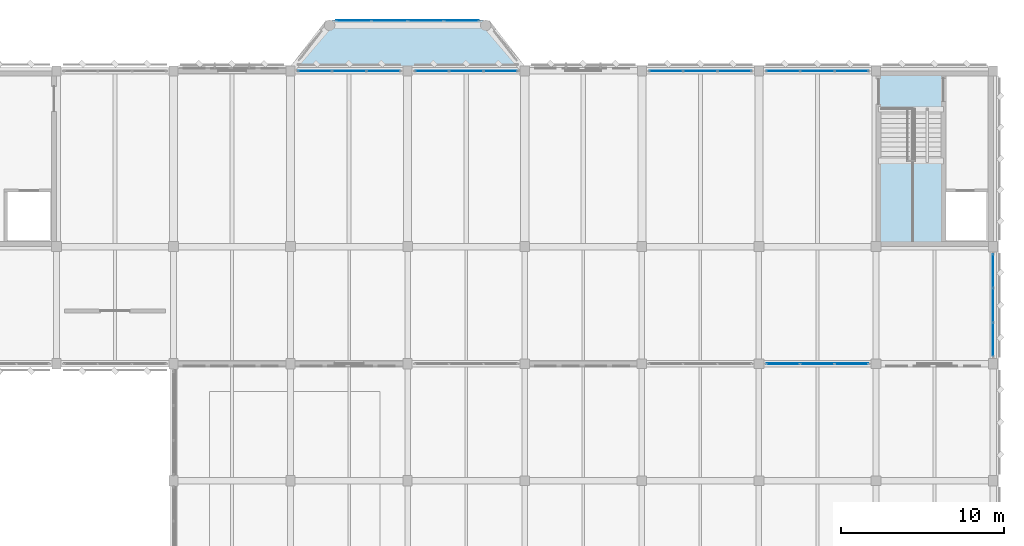
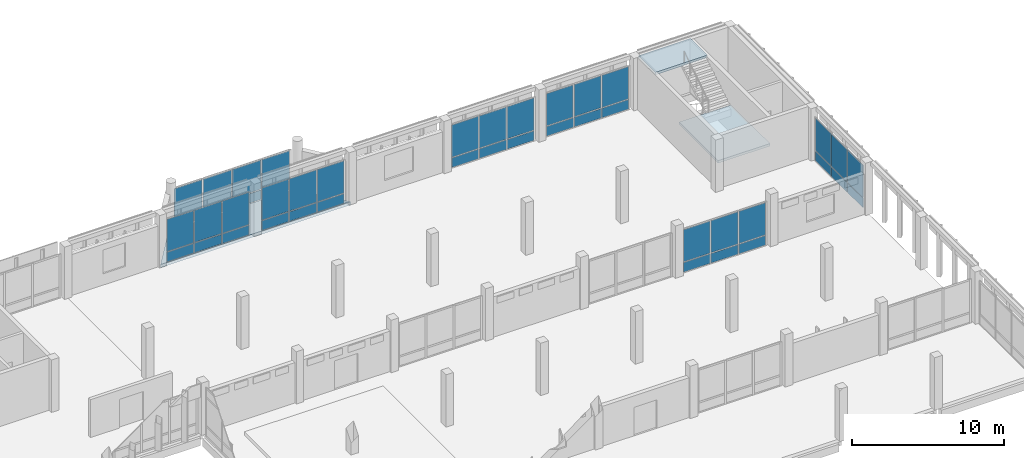
# One storey, part 128 of 158: 44 plates, 3 slabs, 8 elements without a shape of their own.
"""IFC4 building model written with IfcOpenShell, lengths in metres."""

import ifcopenshell
import ifcopenshell.guid

model = None  # the IFC model being written
_history = None  # IfcOwnerHistory: only IFC2X3 demands one
_inside = {}  # id of a spatial element -> (the spatial element, [elements in it])
_under = {}  # id of a project, library or spatial element -> (it, [spatial elements below it])
_declared = {}  # id of a project -> (the project, [libraries it declares])
_typed = {}  # id of a type object -> (the type object, [elements of that type])
_made_of = {}  # id of a material, layer set ... -> (it, [elements and type objects made of it])


def new_model(schema):
    """Start an empty IFC model of exactly this schema.

    Asked for "IFC4X3", IfcOpenShell would pick the latest addendum, in which some entities
    have other attributes; the version numbers below select the first issue.
    IFC2X3 requires an IfcOwnerHistory on every rooted entity: one is made here for all.
    """
    global model, _history
    if schema == "IFC4X3":
        model = ifcopenshell.file(schema_version=(4, 3, 0, 0))
    else:
        model = ifcopenshell.file(schema=schema)
    _inside.clear()
    _under.clear()
    _declared.clear()
    _typed.clear()
    _made_of.clear()
    _history = None
    if model.schema == "IFC2X3":
        org = make("IfcOrganization", Name="unknown")
        user = make(
            "IfcPersonAndOrganization",
            ThePerson=make("IfcPerson", FamilyName="unknown"),
            TheOrganization=org,
        )
        app = make(
            "IfcApplication",
            ApplicationDeveloper=org,
            Version="unknown",
            ApplicationFullName="unknown",
            ApplicationIdentifier="unknown",
        )
        _history = make(
            "IfcOwnerHistory",
            OwningUser=user,
            OwningApplication=app,
            ChangeAction="ADDED",
            CreationDate=0,
        )
    return model


def make(cls, **values):
    """One entity of the class cls with the attributes given. An attribute that is None is left unset."""
    return model.create_entity(
        cls, **{name: value for name, value in values.items() if value is not None}
    )


def rooted(cls, **values):
    """An entity with a GlobalId (a new one), such as an element, a storey or a relation."""
    return make(cls, GlobalId=ifcopenshell.guid.new(), OwnerHistory=_history, **values)


def si_unit(unit_type, name, prefix=None):
    """IfcSIUnit, for example si_unit("LENGTHUNIT", "METRE", prefix="MILLI")."""
    return make("IfcSIUnit", UnitType=unit_type, Prefix=prefix, Name=name)


def assignment(units):
    """IfcUnitAssignment: the units of a project."""
    return None if units is None else make("IfcUnitAssignment", Units=units)


def point(xyz):
    """IfcCartesianPoint."""
    return None if xyz is None else make("IfcCartesianPoint", Coordinates=xyz)


def direction(xyz):
    """IfcDirection."""
    return None if xyz is None else make("IfcDirection", DirectionRatios=xyz)


def frame(location, z_axis=None, x_axis=None):
    """IfcAxis2Placement3D, a coordinate frame: its origin and axes. An axis left out is left unset."""
    return make(
        "IfcAxis2Placement3D",
        Location=point(location),
        Axis=direction(z_axis),
        RefDirection=direction(x_axis),
    )


def frame_2d(location, x_axis=None):
    """IfcAxis2Placement2D, a coordinate frame in the plane: its origin and x axis."""
    return make(
        "IfcAxis2Placement2D", Location=point(location), RefDirection=direction(x_axis)
    )


def origin():
    """The frame at (0, 0, 0) with its axes left unset."""
    return frame((0.0, 0.0, 0.0))


def origin_2d():
    """The frame at (0, 0) in the plane with its x axis left unset."""
    return frame_2d((0.0, 0.0))


def place(relative_to, where):
    """IfcLocalPlacement: puts the frame where relative to a parent placement (None: the world)."""
    return make(
        "IfcLocalPlacement", PlacementRelTo=relative_to, RelativePlacement=where
    )


def context(
    kind, dimensions, precision=None, world=None, true_north=None, identifier=None
):
    """IfcGeometricRepresentationContext, for example the 3D "Model" context."""
    return make(
        "IfcGeometricRepresentationContext",
        ContextIdentifier=identifier,
        ContextType=kind,
        CoordinateSpaceDimension=dimensions,
        Precision=precision,
        WorldCoordinateSystem=world,
        TrueNorth=true_north,
    )


def subcontext(parent, identifier, kind, view, scale=None):
    """IfcGeometricRepresentationSubContext, for example "Body" below "Model"."""
    return make(
        "IfcGeometricRepresentationSubContext",
        ContextIdentifier=identifier,
        ContextType=kind,
        ParentContext=parent,
        TargetScale=scale,
        TargetView=view,
    )


def project(units=None, contexts=None):
    """IfcProject with its units and contexts."""
    return rooted(
        "IfcProject",
        Name="project",
        RepresentationContexts=contexts,
        UnitsInContext=assignment(units),
    )


def spatial(cls, under=None, at=None, **own):
    """A site, building, storey or space (cls), placed at a placement, below another one or the project."""
    s = rooted(cls, ObjectPlacement=at, **own)
    if under is not None:
        _under.setdefault(under.id(), (under, []))[1].append(s)
    return s


def polyline(points):
    """IfcPolyline through the points."""
    return make("IfcPolyline", Points=[point(p) for p in points])


def profile(cls, at=None, kind="AREA", **sizes):
    """A parametric profile (cls). Its sizes go by their IFC names, for example OverallWidth=200.0."""
    return make(cls, ProfileType=kind, Position=at, **sizes)


def rectangle(**sizes):
    """IfcRectangleProfileDef."""
    return profile("IfcRectangleProfileDef", **sizes)


def outline(outer, holes=None, kind="AREA"):
    """IfcArbitraryClosedProfileDef: a profile drawn as a closed curve; with holes, ...WithVoids."""
    if holes is None:
        return make("IfcArbitraryClosedProfileDef", ProfileType=kind, OuterCurve=outer)
    return make(
        "IfcArbitraryProfileDefWithVoids",
        ProfileType=kind,
        OuterCurve=outer,
        InnerCurves=holes,
    )


def extrude(swept, where, along, depth):
    """IfcExtrudedAreaSolid: the profile swept, set in the frame where, extruded along a direction by depth."""
    return make(
        "IfcExtrudedAreaSolid",
        SweptArea=swept,
        Position=where,
        ExtrudedDirection=direction(along),
        Depth=depth,
    )


def shape(context_of_items, identifier, shape_type, items):
    """IfcShapeRepresentation: the items that make up one representation, for example the "Body"."""
    return make(
        "IfcShapeRepresentation",
        ContextOfItems=context_of_items,
        RepresentationIdentifier=identifier,
        RepresentationType=shape_type,
        Items=items,
    )


def material(Name=None, Category=None):
    """IfcMaterial."""
    return make("IfcMaterial", Name=Name, Category=Category)


def layer(
    of_material, thickness, ventilated=None, Name=None, Category=None, Priority=None
):
    """IfcMaterialLayer: one layer of a wall or slab, of a material (None: an air gap)."""
    return make(
        "IfcMaterialLayer",
        Material=of_material,
        LayerThickness=thickness,
        IsVentilated=ventilated,
        Name=Name,
        Category=Category,
        Priority=Priority,
    )


def layer_set(layers, Name=None):
    """IfcMaterialLayerSet."""
    return make("IfcMaterialLayerSet", MaterialLayers=layers, LayerSetName=Name)


def made_of(thing, what):
    """Note that an element or type object is made of a material, layer set ...; save() writes the relation."""
    if what is not None:
        _made_of.setdefault(what.id(), (what, []))[1].append(thing)
    return thing


def type_object(cls, material=None, **own):
    """A type object (cls), such as IfcWallType, which elements share."""
    return made_of(rooted(cls, **own), material)


def element(
    cls,
    number,
    at=None,
    inside=None,
    cuts=None,
    type_object=None,
    material=None,
    context=None,
    identifier="Body",
    shape_type=None,
    held_by="IfcProductDefinitionShape",
    body=None,
    shapes=None,
    **own,
):
    """One element of the class cls, such as IfcWall. Its Tag is "e" and its number.

    at: its placement. inside: the storey or other place that contains it. cuts: it is an
    opening in that element (IfcRelVoidsElement). A single representation is given by context,
    identifier, shape_type and body (its items); several are given by shapes. held_by: the class
    of the entity that holds the representations. save() writes the other relations.
    """
    e = rooted(cls, Tag="e%d" % number, ObjectPlacement=at, **own)
    if body is not None:
        shapes = [shape(context, identifier, shape_type, body)]
    if shapes is not None:
        e.Representation = make(held_by, Representations=shapes)
    if inside is not None:
        _inside.setdefault(inside.id(), (inside, []))[1].append(e)
    if cuts is not None:
        rooted(
            "IfcRelVoidsElement", RelatingBuildingElement=cuts, RelatedOpeningElement=e
        )
    if type_object is not None:
        _typed.setdefault(type_object.id(), (type_object, []))[1].append(e)
    return made_of(e, material)


def aggregate(whole, parts):
    """IfcRelAggregates: a whole, such as a stair, and the parts it consists of."""
    return rooted("IfcRelAggregates", RelatingObject=whole, RelatedObjects=parts)


def save(model, path):
    """Write the relations noted so far, then the file.

    IfcRelAggregates (storeys below a building ...), IfcRelContainedInSpatialStructure (elements
    in a storey), IfcRelDefinesByType, IfcRelAssociatesMaterial and IfcRelDeclares: one each for
    every whole, place, type object, material and project.
    """
    for whole, parts in _under.values():
        aggregate(whole, parts)
    for where, things in _inside.values():
        rooted(
            "IfcRelContainedInSpatialStructure",
            RelatedElements=things,
            RelatingStructure=where,
        )
    for kind, things in _typed.values():
        rooted("IfcRelDefinesByType", RelatedObjects=things, RelatingType=kind)
    for what, things in _made_of.values():
        rooted("IfcRelAssociatesMaterial", RelatedObjects=things, RelatingMaterial=what)
    for by, libraries in _declared.values():
        rooted("IfcRelDeclares", RelatingContext=by, RelatedDefinitions=libraries)
    model.write(path)


model = new_model("IFC4")

# Units and contexts
model_context = context("Model", 3, precision=1e-05, world=origin(), true_north=direction((0.0, 1.0)))
body_context = subcontext(model_context, "Body", "Model", "MODEL_VIEW")
ifc_project = project(units=[si_unit("LENGTHUNIT", "METRE"), si_unit("AREAUNIT", "SQUARE_METRE"), si_unit("VOLUMEUNIT", "CUBIC_METRE"), si_unit("PLANEANGLEUNIT", "RADIAN"), si_unit("MASSUNIT", "GRAM", prefix="KILO")], contexts=[model_context])

# Site, building, storey
site_placement = place(None, origin())
site = spatial("IfcSite", under=ifc_project, at=site_placement, CompositionType="ELEMENT")
building_placement = place(site_placement, origin())
building = spatial("IfcBuilding", under=site, at=building_placement, Name="Lusvemor Sports Hall", CompositionType="ELEMENT")
storey_placement = place(building_placement, frame((0.0, 0.0, 10.800048828125)))
storey = spatial("IfcBuildingStorey", under=building, at=storey_placement, Name="L02", CompositionType="ELEMENT", Elevation=10.800048828125)

# Curtain wall, plates
ifc_material_1 = material(Name="Thermally broken bronze-anodized aluminium", Category="aluminium")
curtain_wall_type_1 = type_object("IfcCurtainWallType", Name="CW_WING_B", PredefinedType="NOTDEFINED", material=ifc_material_1)
curtain_wall_1_placement = place(storey_placement, origin())
curtain_wall_1 = element("IfcCurtainWall", 1, at=curtain_wall_1_placement, inside=storey, type_object=curtain_wall_type_1, Name="Curtain Wall CW-L02-N-1-13", PredefinedType="NOTDEFINED")
ifc_material_2 = material(Name="Solar-control laminated double glazing", Category="glass")
ifc_layer_1 = layer(ifc_material_2, 0.028076171875)
ifc_layer_set_1 = layer_set([ifc_layer_1], Name="Solar-control laminated double glazing")
plate_type_1 = type_object("IfcPlateType", Name="CW_PAN_GLZ_28", PredefinedType="CURTAIN_PANEL", material=ifc_layer_set_1)
plate_1_placement = place(storey_placement, frame((127.496337890625, 115.199951171875, 0.8798828125), z_axis=(0.0, 0.0, 1.0), x_axis=(1.0, 0.0, 0.0)))
plate_1 = element("IfcPlate", 2, at=plate_1_placement, type_object=plate_type_1, Name="CW02 panel 1.2", PredefinedType="CURTAIN_PANEL", context=body_context, shape_type="SweptSolid", body=[
    extrude(rectangle(XDim=2.0224609375, YDim=0.028076171875, at=origin_2d()), origin(), (0.0, 0.0, 1.0), 2.580078125),
])
plate_2_placement = place(storey_placement, frame((129.60009765625, 115.199951171875, 0.8798828125), z_axis=(0.0, 0.0, 1.0), x_axis=(1.0, 0.0, 0.0)))
plate_2 = element("IfcPlate", 3, at=plate_2_placement, type_object=plate_type_1, Name="CW02 panel 2.2", PredefinedType="CURTAIN_PANEL", context=body_context, shape_type="SweptSolid", body=[
    extrude(rectangle(XDim=2.054931640625, YDim=0.028076171875, at=origin_2d()), origin(), (0.0, 0.0, 1.0), 2.580078125),
])
plate_3_placement = place(storey_placement, frame((131.703857421875, 115.199951171875, 0.8798828125), z_axis=(0.0, 0.0, 1.0), x_axis=(1.0, 0.0, 0.0)))
plate_3 = element("IfcPlate", 4, at=plate_3_placement, type_object=plate_type_1, Name="CW02 panel 3.2", PredefinedType="CURTAIN_PANEL", context=body_context, shape_type="SweptSolid", body=[
    extrude(rectangle(XDim=2.0224609375, YDim=0.028076171875, at=origin_2d()), origin(), (0.0, 0.0, 1.0), 2.580078125),
])

curtain_wall_2_placement = place(storey_placement, origin())
curtain_wall_2 = element("IfcCurtainWall", 5, at=curtain_wall_2_placement, inside=storey, type_object=curtain_wall_type_1, Name="Curtain Wall CW-L02-N-1-14", PredefinedType="NOTDEFINED")
plate_4_placement = place(storey_placement, frame((134.6962890625, 115.199951171875, 0.8798828125), z_axis=(0.0, 0.0, 1.0), x_axis=(1.0, 0.0, 0.0)))
plate_4 = element("IfcPlate", 6, at=plate_4_placement, type_object=plate_type_1, Name="CW02 panel 1.2", PredefinedType="CURTAIN_PANEL", context=body_context, shape_type="SweptSolid", body=[
    extrude(rectangle(XDim=2.0224609375, YDim=0.028076171875, at=origin_2d()), origin(), (0.0, 0.0, 1.0), 2.580078125),
])
plate_5_placement = place(storey_placement, frame((136.800048828125, 115.199951171875, 0.8798828125), z_axis=(0.0, 0.0, 1.0), x_axis=(1.0, 0.0, 0.0)))
plate_5 = element("IfcPlate", 7, at=plate_5_placement, type_object=plate_type_1, Name="CW02 panel 2.2", PredefinedType="CURTAIN_PANEL", context=body_context, shape_type="SweptSolid", body=[
    extrude(rectangle(XDim=2.054931640625, YDim=0.028076171875, at=origin_2d()), origin(), (0.0, 0.0, 1.0), 2.580078125),
])
plate_6_placement = place(storey_placement, frame((138.90380859375, 115.199951171875, 0.8798828125), z_axis=(0.0, 0.0, 1.0), x_axis=(1.0, 0.0, 0.0)))
plate_6 = element("IfcPlate", 8, at=plate_6_placement, type_object=plate_type_1, Name="CW02 panel 3.2", PredefinedType="CURTAIN_PANEL", context=body_context, shape_type="SweptSolid", body=[
    extrude(rectangle(XDim=2.0224609375, YDim=0.028076171875, at=origin_2d()), origin(), (0.0, 0.0, 1.0), 2.580078125),
])

curtain_wall_3_placement = place(storey_placement, origin())
curtain_wall_3 = element("IfcCurtainWall", 9, at=curtain_wall_3_placement, inside=storey, type_object=curtain_wall_type_1, Name="Curtain Wall CW-L02-N-1-16", PredefinedType="NOTDEFINED")
plate_7_placement = place(storey_placement, frame((149.09619140625, 115.199951171875, 0.8798828125), z_axis=(0.0, 0.0, 1.0), x_axis=(1.0, 0.0, 0.0)))
plate_7 = element("IfcPlate", 10, at=plate_7_placement, type_object=plate_type_1, Name="CW02 panel 1.2", PredefinedType="CURTAIN_PANEL", context=body_context, shape_type="SweptSolid", body=[
    extrude(rectangle(XDim=2.0224609375, YDim=0.028076171875, at=origin_2d()), origin(), (0.0, 0.0, 1.0), 2.580078125),
])
plate_8_placement = place(storey_placement, frame((151.199951171875, 115.199951171875, 0.8798828125), z_axis=(0.0, 0.0, 1.0), x_axis=(1.0, 0.0, 0.0)))
plate_8 = element("IfcPlate", 11, at=plate_8_placement, type_object=plate_type_1, Name="CW02 panel 2.2", PredefinedType="CURTAIN_PANEL", context=body_context, shape_type="SweptSolid", body=[
    extrude(rectangle(XDim=2.054931640625, YDim=0.028076171875, at=origin_2d()), origin(), (0.0, 0.0, 1.0), 2.580078125),
])
plate_9_placement = place(storey_placement, frame((153.3037109375, 115.199951171875, 0.8798828125), z_axis=(0.0, 0.0, 1.0), x_axis=(1.0, 0.0, 0.0)))
plate_9 = element("IfcPlate", 12, at=plate_9_placement, type_object=plate_type_1, Name="CW02 panel 3.2", PredefinedType="CURTAIN_PANEL", context=body_context, shape_type="SweptSolid", body=[
    extrude(rectangle(XDim=2.0224609375, YDim=0.028076171875, at=origin_2d()), origin(), (0.0, 0.0, 1.0), 2.580078125),
])

curtain_wall_4_placement = place(storey_placement, origin())
curtain_wall_4 = element("IfcCurtainWall", 13, at=curtain_wall_4_placement, inside=storey, type_object=curtain_wall_type_1, Name="Curtain Wall CW-L02-N-1-17", PredefinedType="NOTDEFINED")
plate_10_placement = place(storey_placement, frame((156.296142578125, 115.199951171875, 0.8798828125), z_axis=(0.0, 0.0, 1.0), x_axis=(1.0, 0.0, 0.0)))
plate_10 = element("IfcPlate", 14, at=plate_10_placement, type_object=plate_type_1, Name="CW02 panel 1.2", PredefinedType="CURTAIN_PANEL", context=body_context, shape_type="SweptSolid", body=[
    extrude(rectangle(XDim=2.0224609375, YDim=0.028076171875, at=origin_2d()), origin(), (0.0, 0.0, 1.0), 2.580078125),
])
plate_11_placement = place(storey_placement, frame((158.39990234375, 115.199951171875, 0.8798828125), z_axis=(0.0, 0.0, 1.0), x_axis=(1.0, 0.0, 0.0)))
plate_11 = element("IfcPlate", 15, at=plate_11_placement, type_object=plate_type_1, Name="CW02 panel 2.2", PredefinedType="CURTAIN_PANEL", context=body_context, shape_type="SweptSolid", body=[
    extrude(rectangle(XDim=2.054931640625, YDim=0.028076171875, at=origin_2d()), origin(), (0.0, 0.0, 1.0), 2.580078125),
])
plate_12_placement = place(storey_placement, frame((160.503662109375, 115.199951171875, 0.8798828125), z_axis=(0.0, 0.0, 1.0), x_axis=(1.0, 0.0, 0.0)))
plate_12 = element("IfcPlate", 16, at=plate_12_placement, type_object=plate_type_1, Name="CW02 panel 3.2", PredefinedType="CURTAIN_PANEL", context=body_context, shape_type="SweptSolid", body=[
    extrude(rectangle(XDim=2.0224609375, YDim=0.028076171875, at=origin_2d()), origin(), (0.0, 0.0, 1.0), 2.580078125),
])

curtain_wall_5_placement = place(storey_placement, origin())
curtain_wall_5 = element("IfcCurtainWall", 17, at=curtain_wall_5_placement, inside=storey, type_object=curtain_wall_type_1, Name="Curtain Wall CW-L02-E-2-0", PredefinedType="NOTDEFINED")
plate_13_placement = place(storey_placement, frame((169.199951171875, 102.90380859375, 0.8798828125), z_axis=(0.0, 0.0, 1.0), x_axis=(0.0, -1.0, 0.0)))
plate_13 = element("IfcPlate", 18, at=plate_13_placement, type_object=plate_type_1, Name="CW02 panel 1.2", PredefinedType="CURTAIN_PANEL", context=body_context, shape_type="SweptSolid", body=[
    extrude(rectangle(XDim=2.0224609375, YDim=0.028076171875, at=origin_2d()), origin(), (0.0, 0.0, 1.0), 2.580078125),
])
plate_14_placement = place(storey_placement, frame((169.199951171875, 100.800048828125, 0.8798828125), z_axis=(0.0, 0.0, 1.0), x_axis=(0.0, -1.0, 0.0)))
plate_14 = element("IfcPlate", 19, at=plate_14_placement, type_object=plate_type_1, Name="CW02 panel 2.2", PredefinedType="CURTAIN_PANEL", context=body_context, shape_type="SweptSolid", body=[
    extrude(rectangle(XDim=2.054931640625, YDim=0.028076171875, at=origin_2d()), origin(), (0.0, 0.0, 1.0), 2.580078125),
])
plate_15_placement = place(storey_placement, frame((169.199951171875, 98.6962890625, 0.8798828125), z_axis=(0.0, 0.0, 1.0), x_axis=(0.0, -1.0, 0.0)))
plate_15 = element("IfcPlate", 20, at=plate_15_placement, type_object=plate_type_1, Name="CW02 panel 3.2", PredefinedType="CURTAIN_PANEL", context=body_context, shape_type="SweptSolid", body=[
    extrude(rectangle(XDim=2.0224609375, YDim=0.028076171875, at=origin_2d()), origin(), (0.0, 0.0, 1.0), 2.580078125),
])

curtain_wall_6_placement = place(storey_placement, origin())
curtain_wall_6 = element("IfcCurtainWall", 21, at=curtain_wall_6_placement, inside=storey, type_object=curtain_wall_type_1, Name="Curtain Wall CW-L02-S-3-15", PredefinedType="NOTDEFINED")
plate_16_placement = place(storey_placement, frame((160.503662109375, 97.199951171875, 0.8798828125), z_axis=(0.0, 0.0, 1.0), x_axis=(-1.0, 0.0, 0.0)))
plate_16 = element("IfcPlate", 22, at=plate_16_placement, type_object=plate_type_1, Name="CW02 panel 1.2", PredefinedType="CURTAIN_PANEL", context=body_context, shape_type="SweptSolid", body=[
    extrude(rectangle(XDim=2.0224609375, YDim=0.028076171875, at=origin_2d()), origin(), (0.0, 0.0, 1.0), 2.580078125),
])
plate_17_placement = place(storey_placement, frame((158.39990234375, 97.199951171875, 0.8798828125), z_axis=(0.0, 0.0, 1.0), x_axis=(-1.0, 0.0, 0.0)))
plate_17 = element("IfcPlate", 23, at=plate_17_placement, type_object=plate_type_1, Name="CW02 panel 2.2", PredefinedType="CURTAIN_PANEL", context=body_context, shape_type="SweptSolid", body=[
    extrude(rectangle(XDim=2.054931640625, YDim=0.028076171875, at=origin_2d()), origin(), (0.0, 0.0, 1.0), 2.580078125),
])
plate_18_placement = place(storey_placement, frame((156.296142578125, 97.199951171875, 0.8798828125), z_axis=(0.0, 0.0, 1.0), x_axis=(-1.0, 0.0, 0.0)))
plate_18 = element("IfcPlate", 24, at=plate_18_placement, type_object=plate_type_1, Name="CW02 panel 3.2", PredefinedType="CURTAIN_PANEL", context=body_context, shape_type="SweptSolid", body=[
    extrude(rectangle(XDim=2.0224609375, YDim=0.028076171875, at=origin_2d()), origin(), (0.0, 0.0, 1.0), 2.580078125),
])

ifc_material_3 = material(Name="Thermally broken bronze-anodized aluminium", Category="aluminium")
curtain_wall_type_2 = type_object("IfcCurtainWallType", Name="CW_FOYER_A", PredefinedType="NOTDEFINED", material=ifc_material_3)
curtain_wall_7_placement = place(storey_placement, origin())
curtain_wall_7 = element("IfcCurtainWall", 25, at=curtain_wall_7_placement, inside=storey, type_object=curtain_wall_type_2, Name="Curtain Wall CW-BOW-N3-L02-M", PredefinedType="NOTDEFINED")
plate_19_placement = place(storey_placement, frame((129.8798828125, 118.300048828125, 0.88232421875), z_axis=(0.0, 0.0, 1.0), x_axis=(1.0, 0.0, 0.0)))
plate_19 = element("IfcPlate", 26, at=plate_19_placement, type_object=plate_type_1, Name="CW01 panel 1.2", PredefinedType="CURTAIN_PANEL", context=body_context, shape_type="SweptSolid", body=[
    extrude(rectangle(XDim=2.1201171875, YDim=0.028076171875, at=origin_2d()), origin(), (0.0, 0.0, 1.0), 2.33251953125),
])
plate_20_placement = place(storey_placement, frame((132.08740234375, 118.300048828125, 0.88232421875), z_axis=(0.0, 0.0, 1.0), x_axis=(1.0, 0.0, 0.0)))
plate_20 = element("IfcPlate", 27, at=plate_20_placement, type_object=plate_type_1, Name="CW01 panel 2.2", PredefinedType="CURTAIN_PANEL", context=body_context, shape_type="SweptSolid", body=[
    extrude(rectangle(XDim=2.155029296875, YDim=0.028076171875, at=origin_2d()), origin(), (0.0, 0.0, 1.0), 2.33251953125),
])
plate_21_placement = place(storey_placement, frame((134.3125, 118.300048828125, 0.88232421875), z_axis=(0.0, 0.0, 1.0), x_axis=(1.0, 0.0, 0.0)))
plate_21 = element("IfcPlate", 28, at=plate_21_placement, type_object=plate_type_1, Name="CW01 panel 3.2", PredefinedType="CURTAIN_PANEL", context=body_context, shape_type="SweptSolid", body=[
    extrude(rectangle(XDim=2.155029296875, YDim=0.028076171875, at=origin_2d()), origin(), (0.0, 0.0, 1.0), 2.33251953125),
])
plate_22_placement = place(storey_placement, frame((136.52001953125, 118.300048828125, 0.88232421875), z_axis=(0.0, 0.0, 1.0), x_axis=(1.0, 0.0, 0.0)))
plate_22 = element("IfcPlate", 29, at=plate_22_placement, type_object=plate_type_1, Name="CW01 panel 4.2", PredefinedType="CURTAIN_PANEL", context=body_context, shape_type="SweptSolid", body=[
    extrude(rectangle(XDim=2.1201171875, YDim=0.028076171875, at=origin_2d()), origin(), (0.0, 0.0, 1.0), 2.33251953125),
])

# Plate
ifc_material_4 = material(Name="Emerald polychrome glazed ceramic cladding on Concrete C40/50 backing", Category="concrete")
ifc_layer_2 = layer(ifc_material_4, 0.048095703125)
ifc_layer_set_2 = layer_set([ifc_layer_2], Name="Emerald polychrome glazed ceramic cladding on Concrete C40/50 backing")
plate_type_2 = type_object("IfcPlateType", Name="CW_PAN_SPN_48", PredefinedType="CURTAIN_PANEL", material=ifc_layer_set_2)
plate_23_placement = place(storey_placement, frame((127.496337890625, 115.199951171875, 0.06005859375), z_axis=(0.0, 0.0, 1.0), x_axis=(1.0, 0.0, 0.0)))
plate_23 = element("IfcPlate", 30, at=plate_23_placement, type_object=plate_type_2, Name="CW02 panel 1.1", PredefinedType="CURTAIN_PANEL", context=body_context, shape_type="SweptSolid", body=[
    extrude(rectangle(XDim=2.0224609375, YDim=0.048095703125, at=origin_2d()), origin(), (0.0, 0.0, 1.0), 0.760009765625),
])

plate_24_placement = place(storey_placement, frame((129.60009765625, 115.199951171875, 0.06005859375), z_axis=(0.0, 0.0, 1.0), x_axis=(1.0, 0.0, 0.0)))
plate_24 = element("IfcPlate", 31, at=plate_24_placement, type_object=plate_type_2, Name="CW02 panel 2.1", PredefinedType="CURTAIN_PANEL", context=body_context, shape_type="SweptSolid", body=[
    extrude(rectangle(XDim=2.054931640625, YDim=0.048095703125, at=origin_2d()), origin(), (0.0, 0.0, 1.0), 0.760009765625),
])

plate_25_placement = place(storey_placement, frame((131.703857421875, 115.199951171875, 0.06005859375), z_axis=(0.0, 0.0, 1.0), x_axis=(1.0, 0.0, 0.0)))
plate_25 = element("IfcPlate", 32, at=plate_25_placement, type_object=plate_type_2, Name="CW02 panel 3.1", PredefinedType="CURTAIN_PANEL", context=body_context, shape_type="SweptSolid", body=[
    extrude(rectangle(XDim=2.0224609375, YDim=0.048095703125, at=origin_2d()), origin(), (0.0, 0.0, 1.0), 0.760009765625),
])

aggregate(curtain_wall_1, [plate_23, plate_1, plate_24, plate_2, plate_25, plate_3])

plate_26_placement = place(storey_placement, frame((134.6962890625, 115.199951171875, 0.06005859375), z_axis=(0.0, 0.0, 1.0), x_axis=(1.0, 0.0, 0.0)))
plate_26 = element("IfcPlate", 33, at=plate_26_placement, type_object=plate_type_2, Name="CW02 panel 1.1", PredefinedType="CURTAIN_PANEL", context=body_context, shape_type="SweptSolid", body=[
    extrude(rectangle(XDim=2.0224609375, YDim=0.048095703125, at=origin_2d()), origin(), (0.0, 0.0, 1.0), 0.760009765625),
])

plate_27_placement = place(storey_placement, frame((136.800048828125, 115.199951171875, 0.06005859375), z_axis=(0.0, 0.0, 1.0), x_axis=(1.0, 0.0, 0.0)))
plate_27 = element("IfcPlate", 34, at=plate_27_placement, type_object=plate_type_2, Name="CW02 panel 2.1", PredefinedType="CURTAIN_PANEL", context=body_context, shape_type="SweptSolid", body=[
    extrude(rectangle(XDim=2.054931640625, YDim=0.048095703125, at=origin_2d()), origin(), (0.0, 0.0, 1.0), 0.760009765625),
])

plate_28_placement = place(storey_placement, frame((138.90380859375, 115.199951171875, 0.06005859375), z_axis=(0.0, 0.0, 1.0), x_axis=(1.0, 0.0, 0.0)))
plate_28 = element("IfcPlate", 35, at=plate_28_placement, type_object=plate_type_2, Name="CW02 panel 3.1", PredefinedType="CURTAIN_PANEL", context=body_context, shape_type="SweptSolid", body=[
    extrude(rectangle(XDim=2.0224609375, YDim=0.048095703125, at=origin_2d()), origin(), (0.0, 0.0, 1.0), 0.760009765625),
])

aggregate(curtain_wall_2, [plate_26, plate_4, plate_27, plate_5, plate_28, plate_6])

plate_29_placement = place(storey_placement, frame((149.09619140625, 115.199951171875, 0.06005859375), z_axis=(0.0, 0.0, 1.0), x_axis=(1.0, 0.0, 0.0)))
plate_29 = element("IfcPlate", 36, at=plate_29_placement, type_object=plate_type_2, Name="CW02 panel 1.1", PredefinedType="CURTAIN_PANEL", context=body_context, shape_type="SweptSolid", body=[
    extrude(rectangle(XDim=2.0224609375, YDim=0.048095703125, at=origin_2d()), origin(), (0.0, 0.0, 1.0), 0.760009765625),
])

plate_30_placement = place(storey_placement, frame((151.199951171875, 115.199951171875, 0.06005859375), z_axis=(0.0, 0.0, 1.0), x_axis=(1.0, 0.0, 0.0)))
plate_30 = element("IfcPlate", 37, at=plate_30_placement, type_object=plate_type_2, Name="CW02 panel 2.1", PredefinedType="CURTAIN_PANEL", context=body_context, shape_type="SweptSolid", body=[
    extrude(rectangle(XDim=2.054931640625, YDim=0.048095703125, at=origin_2d()), origin(), (0.0, 0.0, 1.0), 0.760009765625),
])

plate_31_placement = place(storey_placement, frame((153.3037109375, 115.199951171875, 0.06005859375), z_axis=(0.0, 0.0, 1.0), x_axis=(1.0, 0.0, 0.0)))
plate_31 = element("IfcPlate", 38, at=plate_31_placement, type_object=plate_type_2, Name="CW02 panel 3.1", PredefinedType="CURTAIN_PANEL", context=body_context, shape_type="SweptSolid", body=[
    extrude(rectangle(XDim=2.0224609375, YDim=0.048095703125, at=origin_2d()), origin(), (0.0, 0.0, 1.0), 0.760009765625),
])

aggregate(curtain_wall_3, [plate_29, plate_7, plate_30, plate_8, plate_31, plate_9])

plate_32_placement = place(storey_placement, frame((156.296142578125, 115.199951171875, 0.06005859375), z_axis=(0.0, 0.0, 1.0), x_axis=(1.0, 0.0, 0.0)))
plate_32 = element("IfcPlate", 39, at=plate_32_placement, type_object=plate_type_2, Name="CW02 panel 1.1", PredefinedType="CURTAIN_PANEL", context=body_context, shape_type="SweptSolid", body=[
    extrude(rectangle(XDim=2.0224609375, YDim=0.048095703125, at=origin_2d()), origin(), (0.0, 0.0, 1.0), 0.760009765625),
])

plate_33_placement = place(storey_placement, frame((158.39990234375, 115.199951171875, 0.06005859375), z_axis=(0.0, 0.0, 1.0), x_axis=(1.0, 0.0, 0.0)))
plate_33 = element("IfcPlate", 40, at=plate_33_placement, type_object=plate_type_2, Name="CW02 panel 2.1", PredefinedType="CURTAIN_PANEL", context=body_context, shape_type="SweptSolid", body=[
    extrude(rectangle(XDim=2.054931640625, YDim=0.048095703125, at=origin_2d()), origin(), (0.0, 0.0, 1.0), 0.760009765625),
])

plate_34_placement = place(storey_placement, frame((160.503662109375, 115.199951171875, 0.06005859375), z_axis=(0.0, 0.0, 1.0), x_axis=(1.0, 0.0, 0.0)))
plate_34 = element("IfcPlate", 41, at=plate_34_placement, type_object=plate_type_2, Name="CW02 panel 3.1", PredefinedType="CURTAIN_PANEL", context=body_context, shape_type="SweptSolid", body=[
    extrude(rectangle(XDim=2.0224609375, YDim=0.048095703125, at=origin_2d()), origin(), (0.0, 0.0, 1.0), 0.760009765625),
])

aggregate(curtain_wall_4, [plate_32, plate_10, plate_33, plate_11, plate_34, plate_12])

plate_35_placement = place(storey_placement, frame((169.199951171875, 102.90380859375, 0.06005859375), z_axis=(0.0, 0.0, 1.0), x_axis=(0.0, -1.0, 0.0)))
plate_35 = element("IfcPlate", 42, at=plate_35_placement, type_object=plate_type_2, Name="CW02 panel 1.1", PredefinedType="CURTAIN_PANEL", context=body_context, shape_type="SweptSolid", body=[
    extrude(rectangle(XDim=2.0224609375, YDim=0.048095703125, at=origin_2d()), origin(), (0.0, 0.0, 1.0), 0.760009765625),
])

plate_36_placement = place(storey_placement, frame((169.199951171875, 100.800048828125, 0.06005859375), z_axis=(0.0, 0.0, 1.0), x_axis=(0.0, -1.0, 0.0)))
plate_36 = element("IfcPlate", 43, at=plate_36_placement, type_object=plate_type_2, Name="CW02 panel 2.1", PredefinedType="CURTAIN_PANEL", context=body_context, shape_type="SweptSolid", body=[
    extrude(rectangle(XDim=2.054931640625, YDim=0.048095703125, at=origin_2d()), origin(), (0.0, 0.0, 1.0), 0.760009765625),
])

plate_37_placement = place(storey_placement, frame((169.199951171875, 98.6962890625, 0.06005859375), z_axis=(0.0, 0.0, 1.0), x_axis=(0.0, -1.0, 0.0)))
plate_37 = element("IfcPlate", 44, at=plate_37_placement, type_object=plate_type_2, Name="CW02 panel 3.1", PredefinedType="CURTAIN_PANEL", context=body_context, shape_type="SweptSolid", body=[
    extrude(rectangle(XDim=2.0224609375, YDim=0.048095703125, at=origin_2d()), origin(), (0.0, 0.0, 1.0), 0.760009765625),
])

aggregate(curtain_wall_5, [plate_35, plate_13, plate_36, plate_14, plate_37, plate_15])

plate_38_placement = place(storey_placement, frame((160.503662109375, 97.199951171875, 0.06005859375), z_axis=(0.0, 0.0, 1.0), x_axis=(-1.0, 0.0, 0.0)))
plate_38 = element("IfcPlate", 45, at=plate_38_placement, type_object=plate_type_2, Name="CW02 panel 1.1", PredefinedType="CURTAIN_PANEL", context=body_context, shape_type="SweptSolid", body=[
    extrude(rectangle(XDim=2.0224609375, YDim=0.048095703125, at=origin_2d()), origin(), (0.0, 0.0, 1.0), 0.760009765625),
])

plate_39_placement = place(storey_placement, frame((158.39990234375, 97.199951171875, 0.06005859375), z_axis=(0.0, 0.0, 1.0), x_axis=(-1.0, 0.0, 0.0)))
plate_39 = element("IfcPlate", 46, at=plate_39_placement, type_object=plate_type_2, Name="CW02 panel 2.1", PredefinedType="CURTAIN_PANEL", context=body_context, shape_type="SweptSolid", body=[
    extrude(rectangle(XDim=2.054931640625, YDim=0.048095703125, at=origin_2d()), origin(), (0.0, 0.0, 1.0), 0.760009765625),
])

plate_40_placement = place(storey_placement, frame((156.296142578125, 97.199951171875, 0.06005859375), z_axis=(0.0, 0.0, 1.0), x_axis=(-1.0, 0.0, 0.0)))
plate_40 = element("IfcPlate", 47, at=plate_40_placement, type_object=plate_type_2, Name="CW02 panel 3.1", PredefinedType="CURTAIN_PANEL", context=body_context, shape_type="SweptSolid", body=[
    extrude(rectangle(XDim=2.0224609375, YDim=0.048095703125, at=origin_2d()), origin(), (0.0, 0.0, 1.0), 0.760009765625),
])

aggregate(curtain_wall_6, [plate_38, plate_16, plate_39, plate_17, plate_40, plate_18])

plate_41_placement = place(storey_placement, frame((129.8798828125, 118.300048828125, 0.06494140625), z_axis=(0.0, 0.0, 1.0), x_axis=(1.0, 0.0, 0.0)))
plate_41 = element("IfcPlate", 48, at=plate_41_placement, type_object=plate_type_2, Name="CW01 panel 1.1", PredefinedType="CURTAIN_PANEL", context=body_context, shape_type="SweptSolid", body=[
    extrude(rectangle(XDim=2.1201171875, YDim=0.048095703125, at=origin_2d()), origin(), (0.0, 0.0, 1.0), 0.75244140625),
])

plate_42_placement = place(storey_placement, frame((132.08740234375, 118.300048828125, 0.06494140625), z_axis=(0.0, 0.0, 1.0), x_axis=(1.0, 0.0, 0.0)))
plate_42 = element("IfcPlate", 49, at=plate_42_placement, type_object=plate_type_2, Name="CW01 panel 2.1", PredefinedType="CURTAIN_PANEL", context=body_context, shape_type="SweptSolid", body=[
    extrude(rectangle(XDim=2.155029296875, YDim=0.048095703125, at=origin_2d()), origin(), (0.0, 0.0, 1.0), 0.75244140625),
])

plate_43_placement = place(storey_placement, frame((134.3125, 118.300048828125, 0.06494140625), z_axis=(0.0, 0.0, 1.0), x_axis=(1.0, 0.0, 0.0)))
plate_43 = element("IfcPlate", 50, at=plate_43_placement, type_object=plate_type_2, Name="CW01 panel 3.1", PredefinedType="CURTAIN_PANEL", context=body_context, shape_type="SweptSolid", body=[
    extrude(rectangle(XDim=2.155029296875, YDim=0.048095703125, at=origin_2d()), origin(), (0.0, 0.0, 1.0), 0.75244140625),
])

plate_44_placement = place(storey_placement, frame((136.52001953125, 118.300048828125, 0.06494140625), z_axis=(0.0, 0.0, 1.0), x_axis=(1.0, 0.0, 0.0)))
plate_44 = element("IfcPlate", 51, at=plate_44_placement, type_object=plate_type_2, Name="CW01 panel 4.1", PredefinedType="CURTAIN_PANEL", context=body_context, shape_type="SweptSolid", body=[
    extrude(rectangle(XDim=2.1201171875, YDim=0.048095703125, at=origin_2d()), origin(), (0.0, 0.0, 1.0), 0.75244140625),
])

aggregate(curtain_wall_7, [plate_41, plate_19, plate_42, plate_20, plate_43, plate_21, plate_44, plate_22])

# Slab
ifc_material_5 = material(Name="Concrete C40/50", Category="concrete")
ifc_layer_3 = layer(ifc_material_5, 0.260009765625)
ifc_layer_set_3 = layer_set([ifc_layer_3], Name="Concrete C40/50")
slab_type_1 = type_object("IfcSlabType", Name="SLAB_INT_260", PredefinedType="FLOOR", material=ifc_layer_set_3)
slab_1_placement = place(storey_placement, frame((0.0, 0.0, -0.260009765625)))
element("IfcSlab", 52, at=slab_1_placement, inside=storey, type_object=slab_type_1, Name="Bow Pavilion Slab BOW-N3 (L02)", PredefinedType="FLOOR", context=body_context, shape_type="SweptSolid", body=[
    extrude(outline(polyline([(126.0, 115.199951171875), (128.39990234375, 118.300048828125), (138.0, 118.300048828125), (140.39990234375, 115.199951171875), (126.0, 115.199951171875)])), origin(), (0.0, 0.0, 1.0), 0.260009765625),
])

# Stair, slabs
ifc_material_6 = material(Name="Concrete C40/50", Category="concrete")
stair_type = type_object("IfcStairType", Name="STAIR_CORE_420", PredefinedType="HALF_TURN_STAIR", material=ifc_material_6)
stair_placement = place(storey_placement, origin())
stair = element("IfcStair", 53, at=stair_placement, inside=storey, type_object=stair_type, Name="Escape Stair C5 (L02)", PredefinedType="HALF_TURN_STAIR")
ifc_material_7 = material(Name="Concrete C40/50", Category="concrete")
ifc_layer_4 = layer(ifc_material_7, 0.199951171875)
ifc_layer_set_4 = layer_set([ifc_layer_4], Name="Concrete C40/50")
slab_type_2 = type_object("IfcSlabType", Name="SLAB_LAND_200", PredefinedType="LANDING", material=ifc_layer_set_4)
slab_2_placement = place(storey_placement, frame((0.0, 0.0, 1.89990234375)))
slab_2 = element("IfcSlab", 54, at=slab_2_placement, type_object=slab_type_2, Name="ST02 landing 1", PredefinedType="LANDING", context=body_context, shape_type="SweptSolid", body=[
    extrude(outline(polyline([(162.179931640625, 104.580078125), (166.1201171875, 104.580078125), (166.1201171875, 109.699951171875), (162.179931640625, 109.699951171875), (162.179931640625, 104.580078125)])), origin(), (0.0, 0.0, 1.0), 0.199951171875),
])
slab_3_placement = place(storey_placement, frame((0.0, 0.0, 4.0)))
slab_3 = element("IfcSlab", 55, at=slab_3_placement, type_object=slab_type_2, Name="ST02 landing 2", PredefinedType="LANDING", context=body_context, shape_type="SweptSolid", body=[
    extrude(outline(polyline([(162.179931640625, 112.81005859375), (166.1201171875, 112.81005859375), (166.1201171875, 115.02001953125), (162.179931640625, 115.02001953125), (162.179931640625, 112.81005859375)])), origin(), (0.0, 0.0, 1.0), 0.199951171875),
])
aggregate(stair, [slab_2, slab_3])

save(model, "model.ifc")
